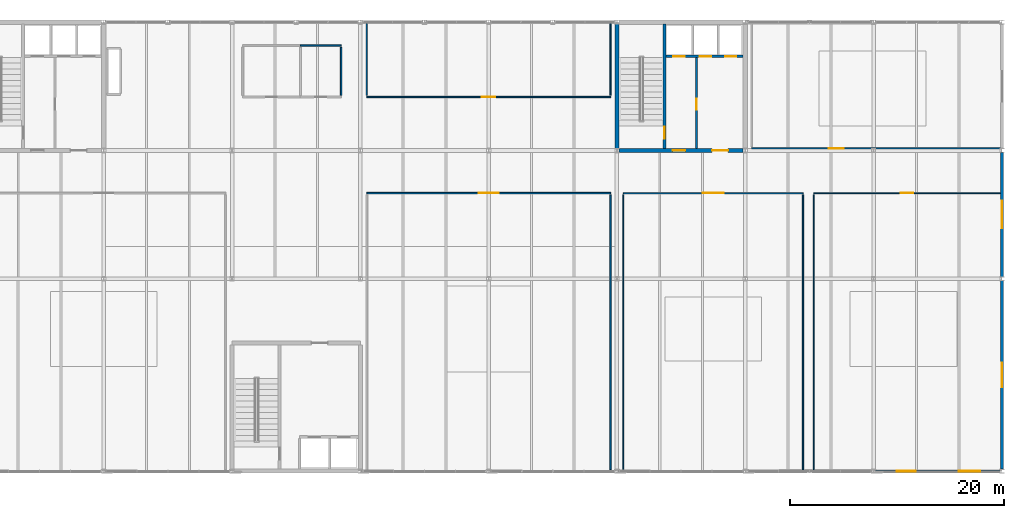
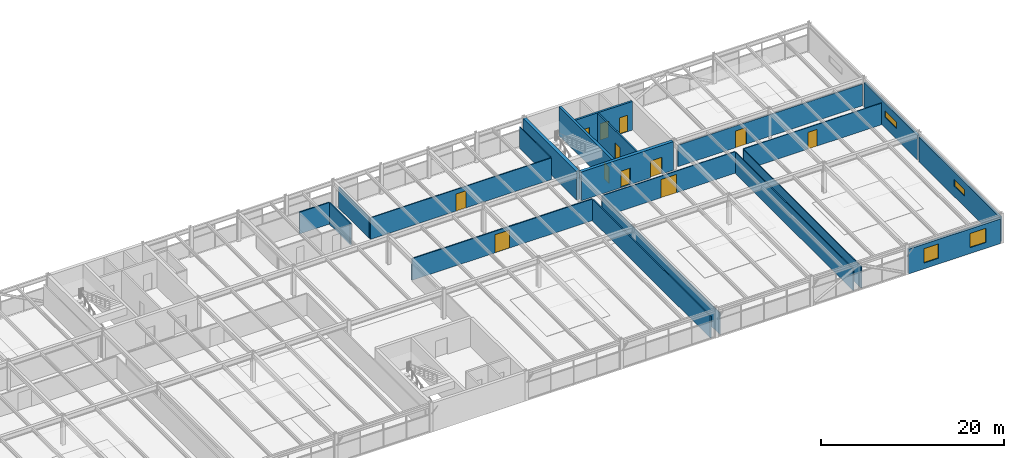
# One storey, part 45 of 51: 21 walls, 12 doors, 4 windows, 16 openings.
"""IFC4 building model written with IfcOpenShell, lengths in metres."""

import ifcopenshell
import ifcopenshell.guid

model = None  # the IFC model being written
_history = None  # IfcOwnerHistory: only IFC2X3 demands one
_inside = {}  # id of a spatial element -> (the spatial element, [elements in it])
_under = {}  # id of a project, library or spatial element -> (it, [spatial elements below it])
_declared = {}  # id of a project -> (the project, [libraries it declares])
_typed = {}  # id of a type object -> (the type object, [elements of that type])
_made_of = {}  # id of a material, layer set ... -> (it, [elements and type objects made of it])


def new_model(schema):
    """Start an empty IFC model of exactly this schema.

    Asked for "IFC4X3", IfcOpenShell would pick the latest addendum, in which some entities
    have other attributes; the version numbers below select the first issue.
    IFC2X3 requires an IfcOwnerHistory on every rooted entity: one is made here for all.
    """
    global model, _history
    if schema == "IFC4X3":
        model = ifcopenshell.file(schema_version=(4, 3, 0, 0))
    else:
        model = ifcopenshell.file(schema=schema)
    _inside.clear()
    _under.clear()
    _declared.clear()
    _typed.clear()
    _made_of.clear()
    _history = None
    if model.schema == "IFC2X3":
        org = make("IfcOrganization", Name="unknown")
        user = make(
            "IfcPersonAndOrganization",
            ThePerson=make("IfcPerson", FamilyName="unknown"),
            TheOrganization=org,
        )
        app = make(
            "IfcApplication",
            ApplicationDeveloper=org,
            Version="unknown",
            ApplicationFullName="unknown",
            ApplicationIdentifier="unknown",
        )
        _history = make(
            "IfcOwnerHistory",
            OwningUser=user,
            OwningApplication=app,
            ChangeAction="ADDED",
            CreationDate=0,
        )
    return model


def make(cls, **values):
    """One entity of the class cls with the attributes given. An attribute that is None is left unset."""
    return model.create_entity(
        cls, **{name: value for name, value in values.items() if value is not None}
    )


def rooted(cls, **values):
    """An entity with a GlobalId (a new one), such as an element, a storey or a relation."""
    return make(cls, GlobalId=ifcopenshell.guid.new(), OwnerHistory=_history, **values)


def si_unit(unit_type, name, prefix=None):
    """IfcSIUnit, for example si_unit("LENGTHUNIT", "METRE", prefix="MILLI")."""
    return make("IfcSIUnit", UnitType=unit_type, Prefix=prefix, Name=name)


def assignment(units):
    """IfcUnitAssignment: the units of a project."""
    return None if units is None else make("IfcUnitAssignment", Units=units)


def point(xyz):
    """IfcCartesianPoint."""
    return None if xyz is None else make("IfcCartesianPoint", Coordinates=xyz)


def direction(xyz):
    """IfcDirection."""
    return None if xyz is None else make("IfcDirection", DirectionRatios=xyz)


def frame(location, z_axis=None, x_axis=None):
    """IfcAxis2Placement3D, a coordinate frame: its origin and axes. An axis left out is left unset."""
    return make(
        "IfcAxis2Placement3D",
        Location=point(location),
        Axis=direction(z_axis),
        RefDirection=direction(x_axis),
    )


def frame_2d(location, x_axis=None):
    """IfcAxis2Placement2D, a coordinate frame in the plane: its origin and x axis."""
    return make(
        "IfcAxis2Placement2D", Location=point(location), RefDirection=direction(x_axis)
    )


def origin():
    """The frame at (0, 0, 0) with its axes left unset."""
    return frame((0.0, 0.0, 0.0))


def place(relative_to, where):
    """IfcLocalPlacement: puts the frame where relative to a parent placement (None: the world)."""
    return make(
        "IfcLocalPlacement", PlacementRelTo=relative_to, RelativePlacement=where
    )


def context(
    kind, dimensions, precision=None, world=None, true_north=None, identifier=None
):
    """IfcGeometricRepresentationContext, for example the 3D "Model" context."""
    return make(
        "IfcGeometricRepresentationContext",
        ContextIdentifier=identifier,
        ContextType=kind,
        CoordinateSpaceDimension=dimensions,
        Precision=precision,
        WorldCoordinateSystem=world,
        TrueNorth=true_north,
    )


def subcontext(parent, identifier, kind, view, scale=None):
    """IfcGeometricRepresentationSubContext, for example "Body" below "Model"."""
    return make(
        "IfcGeometricRepresentationSubContext",
        ContextIdentifier=identifier,
        ContextType=kind,
        ParentContext=parent,
        TargetScale=scale,
        TargetView=view,
    )


def project(units=None, contexts=None):
    """IfcProject with its units and contexts."""
    return rooted(
        "IfcProject",
        Name="project",
        RepresentationContexts=contexts,
        UnitsInContext=assignment(units),
    )


def spatial(cls, under=None, at=None, **own):
    """A site, building, storey or space (cls), placed at a placement, below another one or the project."""
    s = rooted(cls, ObjectPlacement=at, **own)
    if under is not None:
        _under.setdefault(under.id(), (under, []))[1].append(s)
    return s


def profile(cls, at=None, kind="AREA", **sizes):
    """A parametric profile (cls). Its sizes go by their IFC names, for example OverallWidth=200.0."""
    return make(cls, ProfileType=kind, Position=at, **sizes)


def rectangle(**sizes):
    """IfcRectangleProfileDef."""
    return profile("IfcRectangleProfileDef", **sizes)


def extrude(swept, where, along, depth):
    """IfcExtrudedAreaSolid: the profile swept, set in the frame where, extruded along a direction by depth."""
    return make(
        "IfcExtrudedAreaSolid",
        SweptArea=swept,
        Position=where,
        ExtrudedDirection=direction(along),
        Depth=depth,
    )


def shape(context_of_items, identifier, shape_type, items):
    """IfcShapeRepresentation: the items that make up one representation, for example the "Body"."""
    return make(
        "IfcShapeRepresentation",
        ContextOfItems=context_of_items,
        RepresentationIdentifier=identifier,
        RepresentationType=shape_type,
        Items=items,
    )


def material(Name=None, Category=None):
    """IfcMaterial."""
    return make("IfcMaterial", Name=Name, Category=Category)


def layer(
    of_material, thickness, ventilated=None, Name=None, Category=None, Priority=None
):
    """IfcMaterialLayer: one layer of a wall or slab, of a material (None: an air gap)."""
    return make(
        "IfcMaterialLayer",
        Material=of_material,
        LayerThickness=thickness,
        IsVentilated=ventilated,
        Name=Name,
        Category=Category,
        Priority=Priority,
    )


def layer_set(layers, Name=None):
    """IfcMaterialLayerSet."""
    return make("IfcMaterialLayerSet", MaterialLayers=layers, LayerSetName=Name)


def made_of(thing, what):
    """Note that an element or type object is made of a material, layer set ...; save() writes the relation."""
    if what is not None:
        _made_of.setdefault(what.id(), (what, []))[1].append(thing)
    return thing


def type_object(cls, material=None, **own):
    """A type object (cls), such as IfcWallType, which elements share."""
    return made_of(rooted(cls, **own), material)


def element(
    cls,
    number,
    at=None,
    inside=None,
    cuts=None,
    type_object=None,
    material=None,
    context=None,
    identifier="Body",
    shape_type=None,
    held_by="IfcProductDefinitionShape",
    body=None,
    shapes=None,
    **own,
):
    """One element of the class cls, such as IfcWall. Its Tag is "e" and its number.

    at: its placement. inside: the storey or other place that contains it. cuts: it is an
    opening in that element (IfcRelVoidsElement). A single representation is given by context,
    identifier, shape_type and body (its items); several are given by shapes. held_by: the class
    of the entity that holds the representations. save() writes the other relations.
    """
    e = rooted(cls, Tag="e%d" % number, ObjectPlacement=at, **own)
    if body is not None:
        shapes = [shape(context, identifier, shape_type, body)]
    if shapes is not None:
        e.Representation = make(held_by, Representations=shapes)
    if inside is not None:
        _inside.setdefault(inside.id(), (inside, []))[1].append(e)
    if cuts is not None:
        rooted(
            "IfcRelVoidsElement", RelatingBuildingElement=cuts, RelatedOpeningElement=e
        )
    if type_object is not None:
        _typed.setdefault(type_object.id(), (type_object, []))[1].append(e)
    return made_of(e, material)


def fill(opening, filler):
    """IfcRelFillsElement: the door or window that sits in an opening."""
    return rooted(
        "IfcRelFillsElement",
        RelatingOpeningElement=opening,
        RelatedBuildingElement=filler,
    )


def aggregate(whole, parts):
    """IfcRelAggregates: a whole, such as a stair, and the parts it consists of."""
    return rooted("IfcRelAggregates", RelatingObject=whole, RelatedObjects=parts)


def save(model, path):
    """Write the relations noted so far, then the file.

    IfcRelAggregates (storeys below a building ...), IfcRelContainedInSpatialStructure (elements
    in a storey), IfcRelDefinesByType, IfcRelAssociatesMaterial and IfcRelDeclares: one each for
    every whole, place, type object, material and project.
    """
    for whole, parts in _under.values():
        aggregate(whole, parts)
    for where, things in _inside.values():
        rooted(
            "IfcRelContainedInSpatialStructure",
            RelatedElements=things,
            RelatingStructure=where,
        )
    for kind, things in _typed.values():
        rooted("IfcRelDefinesByType", RelatedObjects=things, RelatingType=kind)
    for what, things in _made_of.values():
        rooted("IfcRelAssociatesMaterial", RelatedObjects=things, RelatingMaterial=what)
    for by, libraries in _declared.values():
        rooted("IfcRelDeclares", RelatingContext=by, RelatedDefinitions=libraries)
    model.write(path)


model = new_model("IFC4")

# Units and contexts
model_context = context("Model", 3, precision=1e-05, world=origin(), true_north=direction((0.0, 1.0)))
body_context = subcontext(model_context, "Body", "Model", "MODEL_VIEW")
ifc_project = project(units=[si_unit("LENGTHUNIT", "METRE"), si_unit("AREAUNIT", "SQUARE_METRE"), si_unit("VOLUMEUNIT", "CUBIC_METRE"), si_unit("PLANEANGLEUNIT", "RADIAN"), si_unit("MASSUNIT", "GRAM", prefix="KILO")], contexts=[model_context])

# Site, building, storey
site_placement = place(None, origin())
site = spatial("IfcSite", under=ifc_project, at=site_placement, CompositionType="ELEMENT")
building_placement = place(site_placement, origin())
building = spatial("IfcBuilding", under=site, at=building_placement, Name="Girod Span Mobility Hub", CompositionType="ELEMENT")
storey_placement = place(building_placement, frame((0.0, 0.0, 41.60009765625)))
storey = spatial("IfcBuildingStorey", under=building, at=storey_placement, Name="L10", CompositionType="ELEMENT", Elevation=41.60009765625)

# Wall, openings, doors
ifc_material_1 = material(Name="Concrete C40/50", Category="concrete")
ifc_layer_1 = layer(ifc_material_1, 0.39990234375)
ifc_layer_set_1 = layer_set([ifc_layer_1], Name="Concrete C40/50")
wall_type_1 = type_object("IfcWallType", Name="W-CW-400", PredefinedType="SHEAR", material=ifc_layer_set_1)
wall_1_placement = place(storey_placement, frame((108.196533203125, 57.0, 0.0), z_axis=(0.0, 0.0, 1.0), x_axis=(1.0, 0.0, 0.0)))
wall_1 = element("IfcWall", 1, at=wall_1_placement, inside=storey, type_object=wall_type_1, Name="Core C2 Shear Wall S L10", PredefinedType="SHEAR", context=body_context, shape_type="SweptSolid", body=[
    extrude(rectangle(XDim=11.60693359375, YDim=0.39990234375, at=frame_2d((5.803466796875, 0.0))), origin(), (0.0, 0.0, 1.0), 3.827880859375),
])
opening_1_placement = place(wall_1_placement, frame((5.00390625, 0.0, 0.0)))
opening_1 = element("IfcOpeningElement", 2, at=opening_1_placement, cuts=wall_1, Name="Opening D-FL-C2-L10", PredefinedType="OPENING", context=body_context, shape_type="SweptSolid", body=[
    extrude(rectangle(XDim=1.199951171875, YDim=2.199951171875, at=frame_2d((0.60009765625, 1.10009765625))), frame((0.0, 0.21484375, 0.0), z_axis=(0.0, -1.0, 0.0), x_axis=(1.0, 0.0, 0.0)), (0.0, 0.0, 1.0), 0.429931640625),
])
opening_2_placement = place(wall_1_placement, frame((8.7041015625, 0.0, 0.0)))
opening_2 = element("IfcOpeningElement", 3, at=opening_2_placement, cuts=wall_1, Name="Opening D-LB-C2-L10", PredefinedType="OPENING", context=body_context, shape_type="SweptSolid", body=[
    extrude(rectangle(XDim=1.5, YDim=2.25, at=frame_2d((0.75, 1.125))), frame((0.0, 0.21484375, 0.0), z_axis=(0.0, -1.0, 0.0), x_axis=(1.0, 0.0, 0.0)), (0.0, 0.0, 1.0), 0.429931640625),
])
ifc_material_2 = material(Name="Fire-Rated Insulated Hollow Metal Steel", Category="steel")
door_type_1 = type_object("IfcDoorType", Name="DT-FD-03", OperationType="DOUBLE_DOOR_SINGLE_SWING", PredefinedType="DOOR", material=ifc_material_2)
door_1_placement = place(opening_2_placement, origin())
door_1 = element("IfcDoor", 4, at=door_1_placement, inside=storey, type_object=door_type_1, Name="Lift Lobby Entry Door C2 L10", OperationType="DOUBLE_DOOR_SINGLE_SWING", OverallHeight=2.25, OverallWidth=1.5, PredefinedType="DOOR", context=body_context, shape_type="SweptSolid", body=[
    extrude(rectangle(XDim=1.5, YDim=2.25, at=frame_2d((0.75, 1.125))), frame((0.0, 0.02490234375, 0.0), z_axis=(0.0, -1.0, 0.0), x_axis=(1.0, 0.0, 0.0)), (0.0, 0.0, 1.0), 0.050048828125),
])
fill(opening_2, door_1)
ifc_material_3 = material(Name="Fire-Rated Insulated Hollow Metal Steel", Category="steel")
door_type_2 = type_object("IfcDoorType", Name="DT-FD-05", OperationType="NOTDEFINED", PredefinedType="DOOR", material=ifc_material_3)
door_2_placement = place(opening_1_placement, origin())
door_2 = element("IfcDoor", 5, at=door_2_placement, inside=storey, type_object=door_type_2, Name="Firefighting Lobby Entry Door C2 L10", OperationType="SINGLE_SWING_RIGHT", OverallHeight=2.199951171875, OverallWidth=1.199951171875, PredefinedType="DOOR", context=body_context, shape_type="SweptSolid", body=[
    extrude(rectangle(XDim=1.199951171875, YDim=2.199951171875, at=frame_2d((0.60009765625, 1.10009765625))), frame((0.0, 0.02490234375, 0.0), z_axis=(0.0, -1.0, 0.0), x_axis=(1.0, 0.0, 0.0)), (0.0, 0.0, 1.0), 0.050048828125),
])
fill(opening_1, door_2)

# Wall
wall_2_placement = place(storey_placement, frame((108.0, 57.193603515625, 0.0), z_axis=(0.0, 0.0, 1.0), x_axis=(0.0, 1.0, 0.0)))
element("IfcWall", 6, at=wall_2_placement, inside=storey, type_object=wall_type_1, Name="Core C2 Shear Wall W L10", PredefinedType="SHEAR", context=body_context, shape_type="SweptSolid", body=[
    extrude(rectangle(XDim=11.61279296875, YDim=0.39990234375, at=frame_2d((5.806396484375, 0.0))), origin(), (0.0, 0.0, 1.0), 3.827880859375),
])

# Wall, openings, windows
ifc_material_4 = material(Name="Precast Architectural Concrete C40/50", Category="concrete")
ifc_layer_2 = layer(ifc_material_4, 0.27001953125)
ifc_layer_set_2 = layer_set([ifc_layer_2], Name="Precast Architectural Concrete C40/50")
wall_type_2 = type_object("IfcWallType", Name="W-EXT-270", PredefinedType="SOLIDWALL", material=ifc_layer_set_2)
wall_3_placement = place(storey_placement, frame((132.195068359375, 27.0, 0.0), z_axis=(0.0, 0.0, 1.0), x_axis=(1.0, 0.0, 0.0)))
wall_3 = element("IfcWall", 7, at=wall_3_placement, inside=storey, type_object=wall_type_2, Name="Office Insulated Facade Wall S-12 L10", PredefinedType="SOLIDWALL", context=body_context, shape_type="SweptSolid", body=[
    extrude(rectangle(XDim=11.60986328125, YDim=0.27001953125, at=frame_2d((5.804931640625, 0.0))), origin(), (0.0, 0.0, 1.0), 3.281005859375),
])
opening_3_placement = place(wall_3_placement, frame((1.9599609375, 0.0, 0.780029296875)))
opening_3 = element("IfcOpeningElement", 8, at=opening_3_placement, cuts=wall_3, Name="Opening W-L10-S11A", PredefinedType="OPENING", context=body_context, shape_type="SweptSolid", body=[
    extrude(rectangle(XDim=1.780029296875, YDim=1.89990234375, at=frame_2d((0.89013671875, 0.949951171875))), frame((0.0, 0.14990234375, 0.0), z_axis=(0.0, -1.0, 0.0), x_axis=(1.0, 0.0, 0.0)), (0.0, 0.0, 1.0), 0.300048828125),
])
opening_4_placement = place(wall_3_placement, frame((7.75, 0.0, 0.780029296875)))
opening_4 = element("IfcOpeningElement", 9, at=opening_4_placement, cuts=wall_3, Name="Opening W-L10-S11B", PredefinedType="OPENING", context=body_context, shape_type="SweptSolid", body=[
    extrude(rectangle(XDim=2.02001953125, YDim=1.89990234375, at=frame_2d((1.010009765625, 0.949951171875))), frame((0.0, 0.14990234375, 0.0), z_axis=(0.0, -1.0, 0.0), x_axis=(1.0, 0.0, 0.0)), (0.0, 0.0, 1.0), 0.300048828125),
])
ifc_material_5 = material(Name="Double Low-E Insulated Glazing", Category="glass")
window_type_1 = type_object("IfcWindowType", Name="WN-40", PartitioningType="SINGLE_PANEL", PredefinedType="WINDOW", material=ifc_material_5)
window_1_placement = place(opening_3_placement, origin())
window_1 = element("IfcWindow", 10, at=window_1_placement, inside=storey, type_object=window_type_1, Name="Office Window WN-40", OverallHeight=1.89990234375, OverallWidth=1.780029296875, PartitioningType="SINGLE_PANEL", PredefinedType="WINDOW", context=body_context, shape_type="SweptSolid", body=[
    extrude(rectangle(XDim=1.780029296875, YDim=1.89990234375, at=frame_2d((0.89013671875, 0.949951171875))), frame((0.0, 0.030029296875, 0.0), z_axis=(0.0, -1.0, 0.0), x_axis=(1.0, 0.0, 0.0)), (0.0, 0.0, 1.0), 0.06005859375),
])
fill(opening_3, window_1)
ifc_material_6 = material(Name="Double Low-E Insulated Glazing", Category="glass")
window_type_2 = type_object("IfcWindowType", Name="WN-41", PartitioningType="DOUBLE_PANEL_VERTICAL", PredefinedType="WINDOW", material=ifc_material_6)
window_2_placement = place(opening_4_placement, origin())
window_2 = element("IfcWindow", 11, at=window_2_placement, inside=storey, type_object=window_type_2, Name="Office Window WN-41", OverallHeight=1.89990234375, OverallWidth=2.02001953125, PartitioningType="DOUBLE_PANEL_VERTICAL", PredefinedType="WINDOW", context=body_context, shape_type="SweptSolid", body=[
    extrude(rectangle(XDim=2.02001953125, YDim=1.89990234375, at=frame_2d((1.010009765625, 0.949951171875))), frame((0.0, 0.030029296875, 0.0), z_axis=(0.0, -1.0, 0.0), x_axis=(1.0, 0.0, 0.0)), (0.0, 0.0, 1.0), 0.06005859375),
])
fill(opening_4, window_2)

# Wall, opening, window
wall_4_placement = place(storey_placement, frame((144.0, 27.185546875, 0.0), z_axis=(0.0, 0.0, 1.0), x_axis=(0.0, 1.0, 0.0)))
wall_4 = element("IfcWall", 12, at=wall_4_placement, inside=storey, type_object=wall_type_2, Name="End Facade Insulated Wall E-C L10", PredefinedType="SOLIDWALL", context=body_context, shape_type="SweptSolid", body=[
    extrude(rectangle(XDim=17.62890625, YDim=0.27001953125, at=frame_2d((8.814453125, 0.0))), origin(), (0.0, 0.0, 1.0), 3.281005859375),
])
opening_5_placement = place(wall_4_placement, frame((7.68994140625, 0.0, 1.39990234375)))
opening_5 = element("IfcOpeningElement", 13, at=opening_5_placement, cuts=wall_4, Name="Opening W-L10-E2", PredefinedType="OPENING", context=body_context, shape_type="SweptSolid", body=[
    extrude(rectangle(XDim=2.25, YDim=0.8798828125, at=frame_2d((1.125, 0.43994140625))), frame((0.0, 0.14990234375, 0.0), z_axis=(0.0, -1.0, 0.0), x_axis=(1.0, 0.0, 0.0)), (0.0, 0.0, 1.0), 0.300048828125),
])
ifc_material_7 = material(Name="Double Low-E Insulated Glazing", Category="glass")
window_type_3 = type_object("IfcWindowType", Name="WN-45", PartitioningType="DOUBLE_PANEL_VERTICAL", PredefinedType="USERDEFINED", material=ifc_material_7)
window_3_placement = place(opening_5_placement, origin())
window_3 = element("IfcWindow", 14, at=window_3_placement, inside=storey, type_object=window_type_3, Name="End Office Window WN-45", ObjectType="TRANSOM LIGHT", OverallHeight=0.8798828125, OverallWidth=2.25, PartitioningType="DOUBLE_PANEL_VERTICAL", PredefinedType="USERDEFINED", context=body_context, shape_type="SweptSolid", body=[
    extrude(rectangle(XDim=2.25, YDim=0.8798828125, at=frame_2d((1.125, 0.43994140625))), frame((0.0, 0.030029296875, 0.0), z_axis=(0.0, -1.0, 0.0), x_axis=(1.0, 0.0, 0.0)), (0.0, 0.0, 1.0), 0.06005859375),
])
fill(opening_5, window_3)

wall_5_placement = place(storey_placement, frame((144.0, 45.185546875, 0.0), z_axis=(0.0, 0.0, 1.0), x_axis=(0.0, 1.0, 0.0)))
wall_5 = element("IfcWall", 15, at=wall_5_placement, inside=storey, type_object=wall_type_2, Name="End Facade Insulated Wall E-D L10", PredefinedType="SOLIDWALL", context=body_context, shape_type="SweptSolid", body=[
    extrude(rectangle(XDim=11.62890625, YDim=0.27001953125, at=frame_2d((5.814453125, 0.0))), origin(), (0.0, 0.0, 1.0), 3.281005859375),
])
opening_6_placement = place(wall_5_placement, frame((4.5400390625, 0.0, 1.39990234375)))
opening_6 = element("IfcOpeningElement", 16, at=opening_6_placement, cuts=wall_5, Name="Opening W-L10-E3", PredefinedType="OPENING", context=body_context, shape_type="SweptSolid", body=[
    extrude(rectangle(XDim=2.550048828125, YDim=0.8798828125, at=frame_2d((1.27490234375, 0.43994140625))), frame((0.0, 0.14990234375, 0.0), z_axis=(0.0, -1.0, 0.0), x_axis=(1.0, 0.0, 0.0)), (0.0, 0.0, 1.0), 0.300048828125),
])
ifc_material_8 = material(Name="Double Low-E Insulated Glazing", Category="glass")
window_type_4 = type_object("IfcWindowType", Name="WN-46", PartitioningType="DOUBLE_PANEL_VERTICAL", PredefinedType="USERDEFINED", material=ifc_material_8)
window_4_placement = place(opening_6_placement, origin())
window_4 = element("IfcWindow", 17, at=window_4_placement, inside=storey, type_object=window_type_4, Name="End Office Window WN-46", ObjectType="TRANSOM LIGHT", OverallHeight=0.8798828125, OverallWidth=2.550048828125, PartitioningType="DOUBLE_PANEL_VERTICAL", PredefinedType="USERDEFINED", context=body_context, shape_type="SweptSolid", body=[
    extrude(rectangle(XDim=2.550048828125, YDim=0.8798828125, at=frame_2d((1.27490234375, 0.43994140625))), frame((0.0, 0.030029296875, 0.0), z_axis=(0.0, -1.0, 0.0), x_axis=(1.0, 0.0, 0.0)), (0.0, 0.0, 1.0), 0.06005859375),
])
fill(opening_6, window_4)

# Wall, opening, door
ifc_material_9 = material(Name="Concrete C40/50", Category="concrete")
ifc_layer_3 = layer(ifc_material_9, 0.18994140625)
ifc_layer_set_3 = layer_set([ifc_layer_3], Name="Concrete C40/50")
wall_type_3 = type_object("IfcWallType", Name="W-FL-190", PredefinedType="SOLIDWALL", material=ifc_layer_set_3)
wall_6_placement = place(storey_placement, frame((115.449951171875, 57.199951171875, 0.0), z_axis=(0.0, 0.0, 1.0), x_axis=(0.0, 1.0, 0.0)))
wall_6 = element("IfcWall", 18, at=wall_6_placement, inside=storey, type_object=wall_type_3, Name="Core C2 Firefighting Lobby Wall L10", PredefinedType="SOLIDWALL", context=body_context, shape_type="SweptSolid", body=[
    extrude(rectangle(XDim=8.47998046875, YDim=0.18994140625, at=frame_2d((4.239990234375, 0.0))), origin(), (0.0, 0.0, 1.0), 3.81787109375),
])
opening_7_placement = place(wall_6_placement, frame((3.60009765625, 0.0, 0.0)))
opening_7 = element("IfcOpeningElement", 19, at=opening_7_placement, cuts=wall_6, Name="Opening D-FLX-C2-L10", PredefinedType="OPENING", context=body_context, shape_type="SweptSolid", body=[
    extrude(rectangle(XDim=1.0400390625, YDim=2.179931640625, at=frame_2d((0.52001953125, 1.08984375))), frame((0.0, 0.10986328125, 0.0), z_axis=(0.0, -1.0, 0.0), x_axis=(1.0, 0.0, 0.0)), (0.0, 0.0, 1.0), 0.219970703125),
])
ifc_material_10 = material(Name="Fire-Rated Insulated Hollow Metal Steel", Category="steel")
door_type_3 = type_object("IfcDoorType", Name="DT-FD-02", OperationType="NOTDEFINED", PredefinedType="DOOR", material=ifc_material_10)
door_3_placement = place(opening_7_placement, origin())
door_3 = element("IfcDoor", 20, at=door_3_placement, inside=storey, type_object=door_type_3, Name="Firefighting Lobby Interconnect Door C2 L10", OperationType="SINGLE_SWING_RIGHT", OverallHeight=2.179931640625, OverallWidth=1.0400390625, PredefinedType="DOOR", context=body_context, shape_type="SweptSolid", body=[
    extrude(rectangle(XDim=1.0400390625, YDim=2.179931640625, at=frame_2d((0.52001953125, 1.08984375))), frame((0.0, 0.02490234375, 0.0), z_axis=(0.0, -1.0, 0.0), x_axis=(1.0, 0.0, 0.0)), (0.0, 0.0, 1.0), 0.050048828125),
])
fill(opening_7, door_3)

ifc_material_11 = material(Name="Gypsum Acoustic Operable Panel on Galvanised Steel Framing", Category="steel")
ifc_layer_4 = layer(ifc_material_11, 0.10791015625)
ifc_layer_set_4 = layer_set([ifc_layer_4], Name="Gypsum Acoustic Operable Panel on Galvanised Steel Framing")
wall_type_4 = type_object("IfcWallType", Name="W-MOV-108", PredefinedType="MOVABLE", material=ifc_layer_set_4)
wall_7_placement = place(storey_placement, frame((108.60009765625, 53.0, 0.0), z_axis=(0.0, 0.0, 1.0), x_axis=(1.0, 0.0, 0.0)))
wall_7 = element("IfcWall", 21, at=wall_7_placement, inside=storey, type_object=wall_type_4, Name="Conference Room East L10 Partition N", PredefinedType="MOVABLE", context=body_context, shape_type="SweptSolid", body=[
    extrude(rectangle(XDim=16.7998046875, YDim=0.10791015625, at=frame_2d((8.39990234375, 0.0))), origin(), (0.0, 0.0, 1.0), 2.8798828125),
])
opening_8_placement = place(wall_7_placement, frame((7.43505859375, 0.0, 0.0)))
opening_8 = element("IfcOpeningElement", 22, at=opening_8_placement, cuts=wall_7, Name="Opening D-L10-CONF-SE", PredefinedType="OPENING", context=body_context, shape_type="SweptSolid", body=[
    extrude(rectangle(XDim=1.929931640625, YDim=2.429931640625, at=frame_2d((0.96484375, 1.21484375))), frame((0.0, 0.06884765625, 0.0), z_axis=(0.0, -1.0, 0.0), x_axis=(1.0, 0.0, 0.0)), (0.0, 0.0, 1.0), 0.137939453125),
])
ifc_material_12 = material(Name="Solid-Core Architectural Timber", Category="wood")
door_type_4 = type_object("IfcDoorType", Name="DT-NR-20", OperationType="DOUBLE_DOOR_SINGLE_SWING", PredefinedType="DOOR", material=ifc_material_12)
door_4_placement = place(opening_8_placement, origin())
door_4 = element("IfcDoor", 23, at=door_4_placement, inside=storey, type_object=door_type_4, Name="Conference Room East L10 Door", OperationType="DOUBLE_DOOR_SINGLE_SWING", OverallHeight=2.429931640625, OverallWidth=1.929931640625, PredefinedType="DOOR", context=body_context, shape_type="SweptSolid", body=[
    extrude(rectangle(XDim=1.929931640625, YDim=2.429931640625, at=frame_2d((0.96484375, 1.21484375))), frame((0.0, 0.02490234375, 0.0), z_axis=(0.0, -1.0, 0.0), x_axis=(1.0, 0.0, 0.0)), (0.0, 0.0, 1.0), 0.050048828125),
])
fill(opening_8, door_4)

# Walls
for number, where, z_axis, x_axis, name in (
    (24, (108.60009765625, 27.139892578125, 0.0), (0.0, 0.0, 1.0), (0.0, 1.0, 0.0), "Conference Room East L10 Partition W"),
    (25, (125.39990234375, 27.139892578125, 0.0), (0.0, 0.0, 1.0), (0.0, 1.0, 0.0), "Conference Room East L10 Partition E"),
):
    element("IfcWall", number, at=place(storey_placement, frame(where, z_axis=z_axis, x_axis=x_axis)), inside=storey, type_object=wall_type_4, Name=name, PredefinedType="MOVABLE", context=body_context, shape_type="SweptSolid", body=[
        extrude(rectangle(XDim=25.7001953125, YDim=0.10791015625, at=frame_2d((12.85009765625, 0.0))), origin(), (0.0, 0.0, 1.0), 2.8798828125),
    ])
ifc_material_13 = material(Name="Fire-Rated Gypsum Board on Metal Studs", Category="gypsum")
ifc_layer_5 = layer(ifc_material_13, 0.155029296875)
ifc_layer_set_5 = layer_set([ifc_layer_5], Name="Fire-Rated Gypsum Board on Metal Studs")
wall_type_5 = type_object("IfcWallType", Name="W-PLB-155", PredefinedType="PLUMBINGWALL", material=ifc_layer_set_5)
wall_8_placement = place(storey_placement, frame((78.39990234375, 66.800048828125, 0.0), z_axis=(0.0, 0.0, 1.0), x_axis=(1.0, 0.0, 0.0)))
element("IfcWall", 26, at=wall_8_placement, inside=storey, type_object=wall_type_5, Name="Accessible WC L10 Partition N", PredefinedType="PLUMBINGWALL", context=body_context, shape_type="SweptSolid", body=[
    extrude(rectangle(XDim=3.800048828125, YDim=0.155029296875, at=frame_2d((1.89990234375, 0.0))), origin(), (0.0, 0.0, 1.0), 2.8798828125),
])
wall_9_placement = place(storey_placement, frame((82.199951171875, 62.159912109375, 0.0), z_axis=(0.0, 0.0, 1.0), x_axis=(0.0, 1.0, 0.0)))
element("IfcWall", 27, at=wall_9_placement, inside=storey, type_object=wall_type_5, Name="Accessible WC L10 Partition E", PredefinedType="PLUMBINGWALL", context=body_context, shape_type="SweptSolid", body=[
    extrude(rectangle(XDim=4.47998046875, YDim=0.155029296875, at=frame_2d((2.239990234375, 0.0))), origin(), (0.0, 0.0, 1.0), 2.8798828125),
])

# Wall, opening, door
ifc_material_14 = material(Name="Fire-Rated Gypsum Board on Metal Studs", Category="gypsum")
ifc_layer_6 = layer(ifc_material_14, 0.097900390625)
ifc_layer_set_6 = layer_set([ifc_layer_6], Name="Fire-Rated Gypsum Board on Metal Studs")
wall_type_6 = type_object("IfcWallType", Name="W-PT-098", PredefinedType="PARTITIONING", material=ifc_layer_set_6)
wall_10_placement = place(storey_placement, frame((126.39990234375, 53.0, 0.0), z_axis=(0.0, 0.0, 1.0), x_axis=(1.0, 0.0, 0.0)))
wall_10 = element("IfcWall", 28, at=wall_10_placement, inside=storey, type_object=wall_type_6, Name="Office Suite South East L10 Partition N", PredefinedType="PARTITIONING", context=body_context, shape_type="SweptSolid", body=[
    extrude(rectangle(XDim=17.460205078125, YDim=0.097900390625, at=frame_2d((8.72998046875, 0.0))), origin(), (0.0, 0.0, 1.0), 2.8798828125),
])
opening_9_placement = place(wall_10_placement, frame((8.14990234375, 0.0, 0.0)))
opening_9 = element("IfcOpeningElement", 29, at=opening_9_placement, cuts=wall_10, Name="Opening D-L10-OFF-SE2", PredefinedType="OPENING", context=body_context, shape_type="SweptSolid", body=[
    extrude(rectangle(XDim=1.159912109375, YDim=2.22998046875, at=frame_2d((0.580078125, 1.114990234375))), frame((0.0, 0.06396484375, 0.0), z_axis=(0.0, -1.0, 0.0), x_axis=(1.0, 0.0, 0.0)), (0.0, 0.0, 1.0), 0.1279296875),
])
ifc_material_15 = material(Name="Solid-Core Architectural Timber", Category="wood")
door_type_5 = type_object("IfcDoorType", Name="DT-NR-07", OperationType="NOTDEFINED", PredefinedType="DOOR", material=ifc_material_15)
door_5_placement = place(opening_9_placement, origin())
door_5 = element("IfcDoor", 30, at=door_5_placement, inside=storey, type_object=door_type_5, Name="Office Suite South East L10 Door", OperationType="SINGLE_SWING_LEFT", OverallHeight=2.22998046875, OverallWidth=1.159912109375, PredefinedType="DOOR", context=body_context, shape_type="SweptSolid", body=[
    extrude(rectangle(XDim=1.159912109375, YDim=2.22998046875, at=frame_2d((0.580078125, 1.114990234375))), frame((0.0, 0.02490234375, 0.0), z_axis=(0.0, -1.0, 0.0), x_axis=(1.0, 0.0, 0.0)), (0.0, 0.0, 1.0), 0.050048828125),
])
fill(opening_9, door_5)

# Wall
wall_11_placement = place(storey_placement, frame((126.39990234375, 27.139892578125, 0.0), z_axis=(0.0, 0.0, 1.0), x_axis=(0.0, 1.0, 0.0)))
element("IfcWall", 31, at=wall_11_placement, inside=storey, type_object=wall_type_6, Name="Office Suite South East L10 Partition W", PredefinedType="PARTITIONING", context=body_context, shape_type="SweptSolid", body=[
    extrude(rectangle(XDim=25.7001953125, YDim=0.097900390625, at=frame_2d((12.85009765625, 0.0))), origin(), (0.0, 0.0, 1.0), 2.8798828125),
])

# Wall, opening, door
ifc_material_16 = material(Name="Fire-Rated Gypsum Board on Metal Studs", Category="gypsum")
ifc_layer_7 = layer(ifc_material_16, 0.114990234375)
ifc_layer_set_7 = layer_set([ifc_layer_7], Name="Fire-Rated Gypsum Board on Metal Studs")
wall_type_7 = type_object("IfcWallType", Name="W-PT-115", PredefinedType="PARTITIONING", material=ifc_layer_set_7)
wall_12_placement = place(storey_placement, frame((84.60009765625, 62.0, 0.0), z_axis=(0.0, 0.0, 1.0), x_axis=(1.0, 0.0, 0.0)))
wall_12 = element("IfcWall", 32, at=wall_12_placement, inside=storey, type_object=wall_type_7, Name="Open Office North L10 Partition S", PredefinedType="PARTITIONING", context=body_context, shape_type="SweptSolid", body=[
    extrude(rectangle(XDim=22.7998046875, YDim=0.114990234375, at=frame_2d((11.39990234375, 0.0))), origin(), (0.0, 0.0, 1.0), 2.8798828125),
])
opening_10_placement = place(wall_12_placement, frame((10.764892578125, 0.0, 0.0)))
opening_10 = element("IfcOpeningElement", 33, at=opening_10_placement, cuts=wall_12, Name="Opening D-L10-OFF-NC", PredefinedType="OPENING", context=body_context, shape_type="SweptSolid", body=[
    extrude(rectangle(XDim=1.27001953125, YDim=2.27001953125, at=frame_2d((0.635009765625, 1.135009765625))), frame((0.0, 0.072509765625, 0.0), z_axis=(0.0, -1.0, 0.0), x_axis=(1.0, 0.0, 0.0)), (0.0, 0.0, 1.0), 0.14501953125),
])
ifc_material_17 = material(Name="Solid-Core Architectural Timber", Category="wood")
door_type_6 = type_object("IfcDoorType", Name="DT-NR-09", OperationType="NOTDEFINED", PredefinedType="DOOR", material=ifc_material_17)
door_6_placement = place(opening_10_placement, origin())
door_6 = element("IfcDoor", 34, at=door_6_placement, inside=storey, type_object=door_type_6, Name="Open Office North L10 Door", OperationType="SINGLE_SWING_LEFT", OverallHeight=2.27001953125, OverallWidth=1.27001953125, PredefinedType="DOOR", context=body_context, shape_type="SweptSolid", body=[
    extrude(rectangle(XDim=1.27001953125, YDim=2.27001953125, at=frame_2d((0.635009765625, 1.135009765625))), frame((0.0, 0.02490234375, 0.0), z_axis=(0.0, -1.0, 0.0), x_axis=(1.0, 0.0, 0.0)), (0.0, 0.0, 1.0), 0.050048828125),
])
fill(opening_10, door_6)

# Walls
for number, where, z_axis, x_axis, name in (
    (35, (84.60009765625, 62.159912109375, 0.0), (0.0, 0.0, 1.0), (0.0, 1.0, 0.0), "Open Office North L10 Partition W"),
    (36, (107.39990234375, 62.159912109375, 0.0), (0.0, 0.0, 1.0), (0.0, 1.0, 0.0), "Open Office North L10 Partition E"),
):
    element("IfcWall", number, at=place(storey_placement, frame(where, z_axis=z_axis, x_axis=x_axis)), inside=storey, type_object=wall_type_7, Name=name, PredefinedType="PARTITIONING", context=body_context, shape_type="SweptSolid", body=[
        extrude(rectangle(XDim=6.7001953125, YDim=0.114990234375, at=frame_2d((3.35009765625, 0.0))), origin(), (0.0, 0.0, 1.0), 2.8798828125),
    ])

# Wall, opening, door
ifc_material_18 = material(Name="Fire-Rated Gypsum Board on Metal Studs", Category="gypsum")
ifc_layer_8 = layer(ifc_material_18, 0.125)
ifc_layer_set_8 = layer_set([ifc_layer_8], Name="Fire-Rated Gypsum Board on Metal Studs")
wall_type_8 = type_object("IfcWallType", Name="W-PT-125", PredefinedType="PARTITIONING", material=ifc_layer_set_8)
wall_13_placement = place(storey_placement, frame((120.60009765625, 57.199951171875, 0.0), z_axis=(0.0, 0.0, 1.0), x_axis=(1.0, 0.0, 0.0)))
wall_13 = element("IfcWall", 37, at=wall_13_placement, inside=storey, type_object=wall_type_8, Name="Engineering Studio East L10 Partition S", PredefinedType="PARTITIONING", context=body_context, shape_type="SweptSolid", body=[
    extrude(rectangle(XDim=23.260009765625, YDim=0.125, at=frame_2d((11.6298828125, 0.0))), origin(), (0.0, 0.0, 1.0), 2.8798828125),
])
opening_11_placement = place(wall_13_placement, frame((7.218017578125, 0.0, 0.0)))
opening_11 = element("IfcOpeningElement", 38, at=opening_11_placement, cuts=wall_13, Name="Opening D-L10-OFF-NE", PredefinedType="OPENING", context=body_context, shape_type="SweptSolid", body=[
    extrude(rectangle(XDim=1.3798828125, YDim=2.22998046875, at=frame_2d((0.68994140625, 1.114990234375))), frame((0.0, 0.077392578125, 0.0), z_axis=(0.0, -1.0, 0.0), x_axis=(1.0, 0.0, 0.0)), (0.0, 0.0, 1.0), 0.155029296875),
])
ifc_material_19 = material(Name="Solid-Core Architectural Timber", Category="wood")
door_type_7 = type_object("IfcDoorType", Name="DT-NR-11", OperationType="DOUBLE_DOOR_SINGLE_SWING", PredefinedType="DOOR", material=ifc_material_19)
door_7_placement = place(opening_11_placement, origin())
door_7 = element("IfcDoor", 39, at=door_7_placement, inside=storey, type_object=door_type_7, Name="Engineering Studio East L10 Door", OperationType="DOUBLE_DOOR_SINGLE_SWING", OverallHeight=2.22998046875, OverallWidth=1.3798828125, PredefinedType="DOOR", context=body_context, shape_type="SweptSolid", body=[
    extrude(rectangle(XDim=1.3798828125, YDim=2.22998046875, at=frame_2d((0.68994140625, 1.114990234375))), frame((0.0, 0.02490234375, 0.0), z_axis=(0.0, -1.0, 0.0), x_axis=(1.0, 0.0, 0.0)), (0.0, 0.0, 1.0), 0.050048828125),
])
fill(opening_11, door_7)

ifc_material_20 = material(Name="Fire-Rated Gypsum Board on Metal Studs", Category="gypsum")
ifc_layer_9 = layer(ifc_material_20, 0.139892578125)
ifc_layer_set_9 = layer_set([ifc_layer_9], Name="Fire-Rated Gypsum Board on Metal Studs")
wall_type_9 = type_object("IfcWallType", Name="W-PT-140", PredefinedType="PARTITIONING", material=ifc_layer_set_9)
wall_14_placement = place(storey_placement, frame((84.60009765625, 53.0, 0.0), z_axis=(0.0, 0.0, 1.0), x_axis=(1.0, 0.0, 0.0)))
wall_14 = element("IfcWall", 40, at=wall_14_placement, inside=storey, type_object=wall_type_9, Name="Planning Studio South L10 Partition N", PredefinedType="PARTITIONING", context=body_context, shape_type="SweptSolid", body=[
    extrude(rectangle(XDim=22.7998046875, YDim=0.139892578125, at=frame_2d((11.39990234375, 0.0))), origin(), (0.0, 0.0, 1.0), 2.8798828125),
])
opening_12_placement = place(wall_14_placement, frame((10.469970703125, 0.0, 0.0)))
opening_12 = element("IfcOpeningElement", 41, at=opening_12_placement, cuts=wall_14, Name="Opening D-L10-OFF-SE1", PredefinedType="OPENING", context=body_context, shape_type="SweptSolid", body=[
    extrude(rectangle(XDim=1.860107421875, YDim=2.409912109375, at=frame_2d((0.93017578125, 1.205078125))), frame((0.0, 0.0849609375, 0.0), z_axis=(0.0, -1.0, 0.0), x_axis=(1.0, 0.0, 0.0)), (0.0, 0.0, 1.0), 0.169921875),
])
ifc_material_21 = material(Name="Solid-Core Architectural Timber", Category="wood")
door_type_8 = type_object("IfcDoorType", Name="DT-NR-19", OperationType="DOUBLE_DOOR_SINGLE_SWING", PredefinedType="DOOR", material=ifc_material_21)
door_8_placement = place(opening_12_placement, origin())
door_8 = element("IfcDoor", 42, at=door_8_placement, inside=storey, type_object=door_type_8, Name="Planning Studio South L10 Door", OperationType="DOUBLE_DOOR_SINGLE_SWING", OverallHeight=2.409912109375, OverallWidth=1.860107421875, PredefinedType="DOOR", context=body_context, shape_type="SweptSolid", body=[
    extrude(rectangle(XDim=1.860107421875, YDim=2.409912109375, at=frame_2d((0.93017578125, 1.205078125))), frame((0.0, 0.02490234375, 0.0), z_axis=(0.0, -1.0, 0.0), x_axis=(1.0, 0.0, 0.0)), (0.0, 0.0, 1.0), 0.050048828125),
])
fill(opening_12, door_8)

# Wall
wall_15_placement = place(storey_placement, frame((107.39990234375, 27.139892578125, 0.0), z_axis=(0.0, 0.0, 1.0), x_axis=(0.0, 1.0, 0.0)))
element("IfcWall", 43, at=wall_15_placement, inside=storey, type_object=wall_type_9, Name="Planning Studio South L10 Partition E", PredefinedType="PARTITIONING", context=body_context, shape_type="SweptSolid", body=[
    extrude(rectangle(XDim=25.7001953125, YDim=0.139892578125, at=frame_2d((12.85009765625, 0.0))), origin(), (0.0, 0.0, 1.0), 2.8798828125),
])

# Wall, openings, doors
ifc_material_22 = material(Name="Concrete C40/50", Category="concrete")
ifc_layer_10 = layer(ifc_material_22, 0.25)
ifc_layer_set_10 = layer_set([ifc_layer_10], Name="Concrete C40/50")
wall_type_10 = type_object("IfcWallType", Name="W-SH-250", PredefinedType="SOLIDWALL", material=ifc_layer_set_10)
wall_16_placement = place(storey_placement, frame((112.596923828125, 65.800048828125, 0.0), z_axis=(0.0, 0.0, 1.0), x_axis=(1.0, 0.0, 0.0)))
wall_16 = element("IfcWall", 44, at=wall_16_placement, inside=storey, type_object=wall_type_10, Name="Core C2 Hoistway Front Wall L10", PredefinedType="SOLIDWALL", context=body_context, shape_type="SweptSolid", body=[
    extrude(rectangle(XDim=7.2060546875, YDim=0.25, at=frame_2d((3.60302734375, 0.0))), origin(), (0.0, 0.0, 1.0), 3.827880859375),
])
opening_13_placement = place(wall_16_placement, frame((0.653076171875, 0.0, 0.0)))
opening_13 = element("IfcOpeningElement", 45, at=opening_13_placement, cuts=wall_16, Name="Opening LD-FL-2-L10", PredefinedType="OPENING", context=body_context, shape_type="SweptSolid", body=[
    extrude(rectangle(XDim=1.10009765625, YDim=2.239990234375, at=frame_2d((0.550048828125, 1.1201171875))), frame((0.0, 0.139892578125, 0.0), z_axis=(0.0, -1.0, 0.0), x_axis=(1.0, 0.0, 0.0)), (0.0, 0.0, 1.0), 0.280029296875),
])
opening_14_placement = place(wall_16_placement, frame((3.153076171875, 0.0, 0.0)))
opening_14 = element("IfcOpeningElement", 46, at=opening_14_placement, cuts=wall_16, Name="Opening LD-LP-3-L10", PredefinedType="OPENING", context=body_context, shape_type="SweptSolid", body=[
    extrude(rectangle(XDim=1.050048828125, YDim=2.199951171875, at=frame_2d((0.52490234375, 1.10009765625))), frame((0.0, 0.139892578125, 0.0), z_axis=(0.0, -1.0, 0.0), x_axis=(1.0, 0.0, 0.0)), (0.0, 0.0, 1.0), 0.280029296875),
])
opening_15_placement = place(wall_16_placement, frame((5.528076171875, 0.0, 0.0)))
opening_15 = element("IfcOpeningElement", 47, at=opening_15_placement, cuts=wall_16, Name="Opening LD-LP-4-L10", PredefinedType="OPENING", context=body_context, shape_type="SweptSolid", body=[
    extrude(rectangle(XDim=1.050048828125, YDim=2.199951171875, at=frame_2d((0.52490234375, 1.10009765625))), frame((0.0, 0.139892578125, 0.0), z_axis=(0.0, -1.0, 0.0), x_axis=(1.0, 0.0, 0.0)), (0.0, 0.0, 1.0), 0.280029296875),
])
ifc_material_23 = material(Name="Brushed Stainless Steel Grade 304", Category="steel")
door_type_9 = type_object("IfcDoorType", Name="LD-FL-110", OperationType="SLIDING_TO_LEFT", PredefinedType="USERDEFINED", material=ifc_material_23)
door_9_placement = place(opening_13_placement, origin())
door_9 = element("IfcDoor", 48, at=door_9_placement, inside=storey, type_object=door_type_9, Name="Lift FL-2 Sliding Landing Door L10", ObjectType="LANDING DOOR", OperationType="SLIDING_TO_LEFT", OverallHeight=2.239990234375, OverallWidth=1.10009765625, PredefinedType="USERDEFINED", context=body_context, shape_type="SweptSolid", body=[
    extrude(rectangle(XDim=1.10009765625, YDim=2.239990234375, at=frame_2d((0.550048828125, 1.1201171875))), frame((0.0, 0.02490234375, 0.0), z_axis=(0.0, -1.0, 0.0), x_axis=(1.0, 0.0, 0.0)), (0.0, 0.0, 1.0), 0.050048828125),
])
fill(opening_13, door_9)
ifc_material_24 = material(Name="Brushed Stainless Steel Grade 304", Category="steel")
door_type_10 = type_object("IfcDoorType", Name="LD-LP-105", OperationType="SLIDING_TO_LEFT", PredefinedType="USERDEFINED", material=ifc_material_24)
door_10_placement = place(opening_14_placement, origin())
door_10 = element("IfcDoor", 49, at=door_10_placement, inside=storey, type_object=door_type_10, Name="Lift LP-3 Sliding Landing Door L10", ObjectType="LANDING DOOR", OperationType="SLIDING_TO_LEFT", OverallHeight=2.199951171875, OverallWidth=1.050048828125, PredefinedType="USERDEFINED", context=body_context, shape_type="SweptSolid", body=[
    extrude(rectangle(XDim=1.050048828125, YDim=2.199951171875, at=frame_2d((0.52490234375, 1.10009765625))), frame((0.0, 0.02490234375, 0.0), z_axis=(0.0, -1.0, 0.0), x_axis=(1.0, 0.0, 0.0)), (0.0, 0.0, 1.0), 0.050048828125),
])
fill(opening_14, door_10)
door_11_placement = place(opening_15_placement, origin())
door_11 = element("IfcDoor", 50, at=door_11_placement, inside=storey, type_object=door_type_10, Name="Lift LP-4 Sliding Landing Door L10", ObjectType="LANDING DOOR", OperationType="SLIDING_TO_LEFT", OverallHeight=2.199951171875, OverallWidth=1.050048828125, PredefinedType="USERDEFINED", context=body_context, shape_type="SweptSolid", body=[
    extrude(rectangle(XDim=1.050048828125, YDim=2.199951171875, at=frame_2d((0.52490234375, 1.10009765625))), frame((0.0, 0.02490234375, 0.0), z_axis=(0.0, -1.0, 0.0), x_axis=(1.0, 0.0, 0.0)), (0.0, 0.0, 1.0), 0.050048828125),
])
fill(opening_15, door_11)

# Wall, opening, door
ifc_material_25 = material(Name="Concrete C40/50", Category="concrete")
ifc_layer_11 = layer(ifc_material_25, 0.300048828125)
ifc_layer_set_11 = layer_set([ifc_layer_11], Name="Concrete C40/50")
wall_type_11 = type_object("IfcWallType", Name="W-SH-300", PredefinedType="SHEAR", material=ifc_layer_set_11)
wall_17_placement = place(storey_placement, frame((112.449951171875, 57.197021484375, 0.0), z_axis=(0.0, 0.0, 1.0), x_axis=(0.0, 1.0, 0.0)))
wall_17 = element("IfcWall", 51, at=wall_17_placement, inside=storey, type_object=wall_type_11, Name="Core C2 Stairwell Spine Wall L10", PredefinedType="SHEAR", context=body_context, shape_type="SweptSolid", body=[
    extrude(rectangle(XDim=11.60595703125, YDim=0.300048828125, at=frame_2d((5.802978515625, 0.0))), origin(), (0.0, 0.0, 1.0), 3.827880859375),
])
opening_16_placement = place(wall_17_placement, frame((0.89990234375, 0.0, 0.0)))
opening_16 = element("IfcOpeningElement", 52, at=opening_16_placement, cuts=wall_17, Name="Opening D-ST-2-L10", PredefinedType="OPENING", context=body_context, shape_type="SweptSolid", body=[
    extrude(rectangle(XDim=1.10009765625, YDim=2.199951171875, at=frame_2d((0.550048828125, 1.10009765625))), frame((0.0, 0.1650390625, 0.0), z_axis=(0.0, -1.0, 0.0), x_axis=(1.0, 0.0, 0.0)), (0.0, 0.0, 1.0), 0.330078125),
])
ifc_material_26 = material(Name="Fire-Rated Insulated Hollow Metal Steel", Category="steel")
door_type_11 = type_object("IfcDoorType", Name="DT-FD-01", OperationType="NOTDEFINED", PredefinedType="DOOR", material=ifc_material_26)
door_12_placement = place(opening_16_placement, origin())
door_12 = element("IfcDoor", 53, at=door_12_placement, inside=storey, type_object=door_type_11, Name="Stair ST-2 Fire Door L10", OperationType="SINGLE_SWING_LEFT", OverallHeight=2.199951171875, OverallWidth=1.10009765625, PredefinedType="DOOR", context=body_context, shape_type="SweptSolid", body=[
    extrude(rectangle(XDim=1.10009765625, YDim=2.199951171875, at=frame_2d((0.550048828125, 1.10009765625))), frame((0.0, 0.02490234375, 0.0), z_axis=(0.0, -1.0, 0.0), x_axis=(1.0, 0.0, 0.0)), (0.0, 0.0, 1.0), 0.050048828125),
])
fill(opening_16, door_12)

save(model, "model.ifc")
